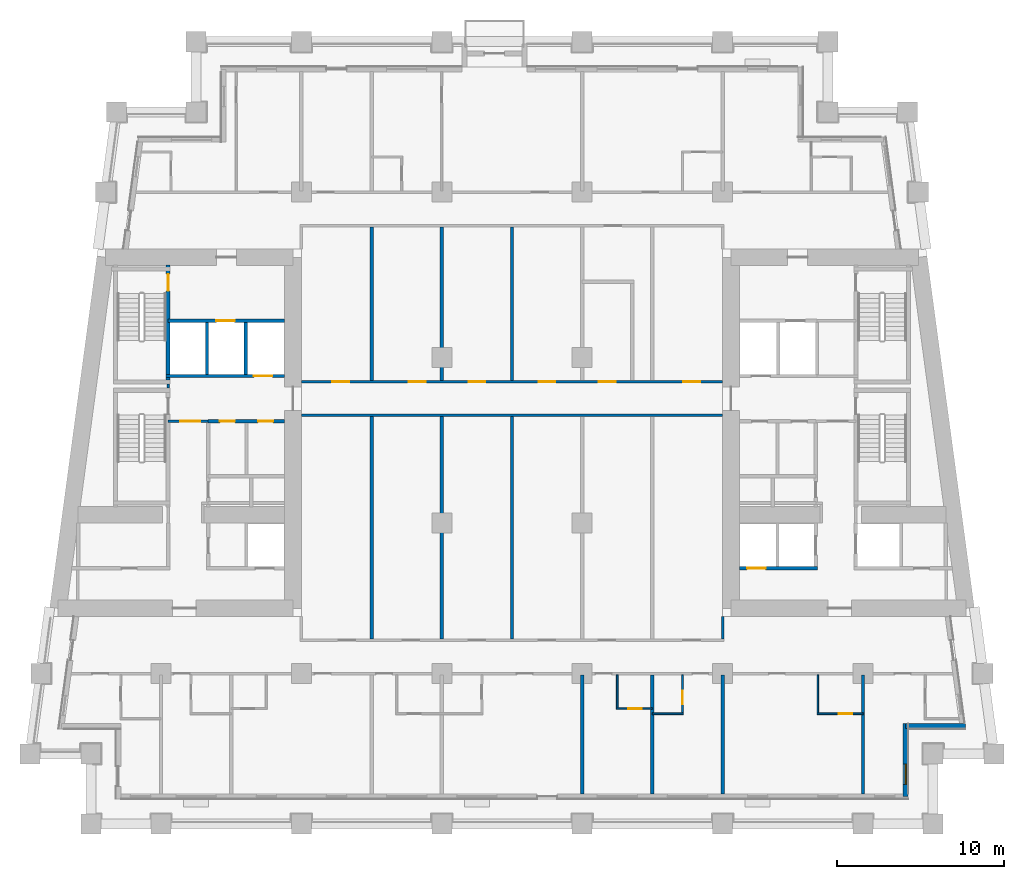
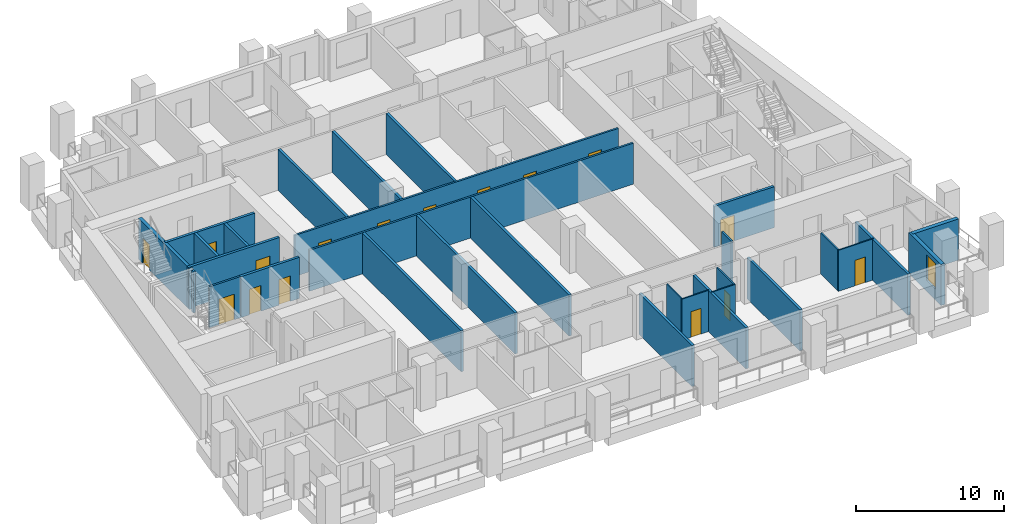
# One storey, part 4 of 13: 30 walls, 16 doors, 1 window, 17 openings.
"""IFC4 building model written with IfcOpenShell, lengths in metres."""

import ifcopenshell
import ifcopenshell.guid

model = None  # the IFC model being written
_history = None  # IfcOwnerHistory: only IFC2X3 demands one
_inside = {}  # id of a spatial element -> (the spatial element, [elements in it])
_under = {}  # id of a project, library or spatial element -> (it, [spatial elements below it])
_declared = {}  # id of a project -> (the project, [libraries it declares])
_typed = {}  # id of a type object -> (the type object, [elements of that type])
_made_of = {}  # id of a material, layer set ... -> (it, [elements and type objects made of it])


def new_model(schema):
    """Start an empty IFC model of exactly this schema.

    Asked for "IFC4X3", IfcOpenShell would pick the latest addendum, in which some entities
    have other attributes; the version numbers below select the first issue.
    IFC2X3 requires an IfcOwnerHistory on every rooted entity: one is made here for all.
    """
    global model, _history
    if schema == "IFC4X3":
        model = ifcopenshell.file(schema_version=(4, 3, 0, 0))
    else:
        model = ifcopenshell.file(schema=schema)
    _inside.clear()
    _under.clear()
    _declared.clear()
    _typed.clear()
    _made_of.clear()
    _history = None
    if model.schema == "IFC2X3":
        org = make("IfcOrganization", Name="unknown")
        user = make(
            "IfcPersonAndOrganization",
            ThePerson=make("IfcPerson", FamilyName="unknown"),
            TheOrganization=org,
        )
        app = make(
            "IfcApplication",
            ApplicationDeveloper=org,
            Version="unknown",
            ApplicationFullName="unknown",
            ApplicationIdentifier="unknown",
        )
        _history = make(
            "IfcOwnerHistory",
            OwningUser=user,
            OwningApplication=app,
            ChangeAction="ADDED",
            CreationDate=0,
        )
    return model


def make(cls, **values):
    """One entity of the class cls with the attributes given. An attribute that is None is left unset."""
    return model.create_entity(
        cls, **{name: value for name, value in values.items() if value is not None}
    )


def rooted(cls, **values):
    """An entity with a GlobalId (a new one), such as an element, a storey or a relation."""
    return make(cls, GlobalId=ifcopenshell.guid.new(), OwnerHistory=_history, **values)


def si_unit(unit_type, name, prefix=None):
    """IfcSIUnit, for example si_unit("LENGTHUNIT", "METRE", prefix="MILLI")."""
    return make("IfcSIUnit", UnitType=unit_type, Prefix=prefix, Name=name)


def assignment(units):
    """IfcUnitAssignment: the units of a project."""
    return None if units is None else make("IfcUnitAssignment", Units=units)


def point(xyz):
    """IfcCartesianPoint."""
    return None if xyz is None else make("IfcCartesianPoint", Coordinates=xyz)


def direction(xyz):
    """IfcDirection."""
    return None if xyz is None else make("IfcDirection", DirectionRatios=xyz)


def frame(location, z_axis=None, x_axis=None):
    """IfcAxis2Placement3D, a coordinate frame: its origin and axes. An axis left out is left unset."""
    return make(
        "IfcAxis2Placement3D",
        Location=point(location),
        Axis=direction(z_axis),
        RefDirection=direction(x_axis),
    )


def frame_2d(location, x_axis=None):
    """IfcAxis2Placement2D, a coordinate frame in the plane: its origin and x axis."""
    return make(
        "IfcAxis2Placement2D", Location=point(location), RefDirection=direction(x_axis)
    )


def origin():
    """The frame at (0, 0, 0) with its axes left unset."""
    return frame((0.0, 0.0, 0.0))


def place(relative_to, where):
    """IfcLocalPlacement: puts the frame where relative to a parent placement (None: the world)."""
    return make(
        "IfcLocalPlacement", PlacementRelTo=relative_to, RelativePlacement=where
    )


def context(
    kind, dimensions, precision=None, world=None, true_north=None, identifier=None
):
    """IfcGeometricRepresentationContext, for example the 3D "Model" context."""
    return make(
        "IfcGeometricRepresentationContext",
        ContextIdentifier=identifier,
        ContextType=kind,
        CoordinateSpaceDimension=dimensions,
        Precision=precision,
        WorldCoordinateSystem=world,
        TrueNorth=true_north,
    )


def subcontext(parent, identifier, kind, view, scale=None):
    """IfcGeometricRepresentationSubContext, for example "Body" below "Model"."""
    return make(
        "IfcGeometricRepresentationSubContext",
        ContextIdentifier=identifier,
        ContextType=kind,
        ParentContext=parent,
        TargetScale=scale,
        TargetView=view,
    )


def project(units=None, contexts=None):
    """IfcProject with its units and contexts."""
    return rooted(
        "IfcProject",
        Name="project",
        RepresentationContexts=contexts,
        UnitsInContext=assignment(units),
    )


def spatial(cls, under=None, at=None, **own):
    """A site, building, storey or space (cls), placed at a placement, below another one or the project."""
    s = rooted(cls, ObjectPlacement=at, **own)
    if under is not None:
        _under.setdefault(under.id(), (under, []))[1].append(s)
    return s


def profile(cls, at=None, kind="AREA", **sizes):
    """A parametric profile (cls). Its sizes go by their IFC names, for example OverallWidth=200.0."""
    return make(cls, ProfileType=kind, Position=at, **sizes)


def rectangle(**sizes):
    """IfcRectangleProfileDef."""
    return profile("IfcRectangleProfileDef", **sizes)


def extrude(swept, where, along, depth):
    """IfcExtrudedAreaSolid: the profile swept, set in the frame where, extruded along a direction by depth."""
    return make(
        "IfcExtrudedAreaSolid",
        SweptArea=swept,
        Position=where,
        ExtrudedDirection=direction(along),
        Depth=depth,
    )


def shape(context_of_items, identifier, shape_type, items):
    """IfcShapeRepresentation: the items that make up one representation, for example the "Body"."""
    return make(
        "IfcShapeRepresentation",
        ContextOfItems=context_of_items,
        RepresentationIdentifier=identifier,
        RepresentationType=shape_type,
        Items=items,
    )


def material(Name=None, Category=None):
    """IfcMaterial."""
    return make("IfcMaterial", Name=Name, Category=Category)


def layer(
    of_material, thickness, ventilated=None, Name=None, Category=None, Priority=None
):
    """IfcMaterialLayer: one layer of a wall or slab, of a material (None: an air gap)."""
    return make(
        "IfcMaterialLayer",
        Material=of_material,
        LayerThickness=thickness,
        IsVentilated=ventilated,
        Name=Name,
        Category=Category,
        Priority=Priority,
    )


def layer_set(layers, Name=None):
    """IfcMaterialLayerSet."""
    return make("IfcMaterialLayerSet", MaterialLayers=layers, LayerSetName=Name)


def made_of(thing, what):
    """Note that an element or type object is made of a material, layer set ...; save() writes the relation."""
    if what is not None:
        _made_of.setdefault(what.id(), (what, []))[1].append(thing)
    return thing


def type_object(cls, material=None, **own):
    """A type object (cls), such as IfcWallType, which elements share."""
    return made_of(rooted(cls, **own), material)


def element(
    cls,
    number,
    at=None,
    inside=None,
    cuts=None,
    type_object=None,
    material=None,
    context=None,
    identifier="Body",
    shape_type=None,
    held_by="IfcProductDefinitionShape",
    body=None,
    shapes=None,
    **own,
):
    """One element of the class cls, such as IfcWall. Its Tag is "e" and its number.

    at: its placement. inside: the storey or other place that contains it. cuts: it is an
    opening in that element (IfcRelVoidsElement). A single representation is given by context,
    identifier, shape_type and body (its items); several are given by shapes. held_by: the class
    of the entity that holds the representations. save() writes the other relations.
    """
    e = rooted(cls, Tag="e%d" % number, ObjectPlacement=at, **own)
    if body is not None:
        shapes = [shape(context, identifier, shape_type, body)]
    if shapes is not None:
        e.Representation = make(held_by, Representations=shapes)
    if inside is not None:
        _inside.setdefault(inside.id(), (inside, []))[1].append(e)
    if cuts is not None:
        rooted(
            "IfcRelVoidsElement", RelatingBuildingElement=cuts, RelatedOpeningElement=e
        )
    if type_object is not None:
        _typed.setdefault(type_object.id(), (type_object, []))[1].append(e)
    return made_of(e, material)


def fill(opening, filler):
    """IfcRelFillsElement: the door or window that sits in an opening."""
    return rooted(
        "IfcRelFillsElement",
        RelatingOpeningElement=opening,
        RelatedBuildingElement=filler,
    )


def aggregate(whole, parts):
    """IfcRelAggregates: a whole, such as a stair, and the parts it consists of."""
    return rooted("IfcRelAggregates", RelatingObject=whole, RelatedObjects=parts)


def save(model, path):
    """Write the relations noted so far, then the file.

    IfcRelAggregates (storeys below a building ...), IfcRelContainedInSpatialStructure (elements
    in a storey), IfcRelDefinesByType, IfcRelAssociatesMaterial and IfcRelDeclares: one each for
    every whole, place, type object, material and project.
    """
    for whole, parts in _under.values():
        aggregate(whole, parts)
    for where, things in _inside.values():
        rooted(
            "IfcRelContainedInSpatialStructure",
            RelatedElements=things,
            RelatingStructure=where,
        )
    for kind, things in _typed.values():
        rooted("IfcRelDefinesByType", RelatedObjects=things, RelatingType=kind)
    for what, things in _made_of.values():
        rooted("IfcRelAssociatesMaterial", RelatedObjects=things, RelatingMaterial=what)
    for by, libraries in _declared.values():
        rooted("IfcRelDeclares", RelatingContext=by, RelatedDefinitions=libraries)
    model.write(path)


model = new_model("IFC4")

# Units and contexts
model_context = context("Model", 3, precision=1e-05, world=origin(), true_north=direction((0.0, 1.0)))
body_context = subcontext(model_context, "Body", "Model", "MODEL_VIEW")
ifc_project = project(units=[si_unit("LENGTHUNIT", "METRE"), si_unit("AREAUNIT", "SQUARE_METRE"), si_unit("VOLUMEUNIT", "CUBIC_METRE"), si_unit("PLANEANGLEUNIT", "RADIAN"), si_unit("MASSUNIT", "GRAM", prefix="KILO")], contexts=[model_context])

# Site, building, storey
site_placement = place(None, origin())
site = spatial("IfcSite", under=ifc_project, at=site_placement, CompositionType="ELEMENT")
building_placement = place(site_placement, origin())
building = spatial("IfcBuilding", under=site, at=building_placement, Name="Candeia Pilgrim Tower and Theatre", CompositionType="ELEMENT")
storey_placement = place(building_placement, frame((0.0, 0.0, 98.39990234375)))
storey = spatial("IfcBuildingStorey", under=building, at=storey_placement, Name="L22", CompositionType="ELEMENT", Elevation=98.39990234375)

# Wall, opening, window
ifc_material_1 = material(Name="Ceramic block masonry", Category="masonry")
ifc_layer_1 = layer(ifc_material_1, 0.300048828125)
ifc_layer_set_1 = layer_set([ifc_layer_1], Name="EW1 glazing-line wall 300")
wall_type_1 = type_object("IfcWallType", Name="EW1 glazing-line wall 300", PredefinedType="SOLIDWALL", material=ifc_layer_set_1)
wall_1_placement = place(storey_placement, frame((136.949951171875, 99.64990234375, 0.0), z_axis=(0.0, 0.0, 1.0), x_axis=(0.0, 1.0, 0.0)))
wall_1 = element("IfcWall", 1, at=wall_1_placement, inside=storey, type_object=wall_type_1, Name="External wall L22-1.0", PredefinedType="SOLIDWALL", context=body_context, shape_type="SweptSolid", body=[
    extrude(rectangle(XDim=4.35009765625, YDim=0.300048828125, at=frame_2d((2.175048828125, 0.0))), origin(), (0.0, 0.0, 1.0), 3.380126953125),
])
opening_1_placement = place(wall_1_placement, frame((0.72509765625, 0.0, 0.89990234375)))
opening_1 = element("IfcOpeningElement", 2, at=opening_1_placement, cuts=wall_1, Name="Opening W-B", PredefinedType="OPENING", context=body_context, shape_type="SweptSolid", body=[
    extrude(rectangle(XDim=1.199951171875, YDim=2.10009765625, at=frame_2d((0.60009765625, 1.050048828125))), frame((0.0, 0.16015625, 0.0), z_axis=(0.0, -1.0, 0.0), x_axis=(1.0, 0.0, 0.0)), (0.0, 0.0, 1.0), 0.320068359375),
])
ifc_material_2 = material(Name="Aluminium framed double glazing", Category="aluminium")
window_type = type_object("IfcWindowType", Name="W-B window 1200x2100", PartitioningType="SINGLE_PANEL", PredefinedType="WINDOW", material=ifc_material_2)
window_placement = place(opening_1_placement, origin())
window = element("IfcWindow", 3, at=window_placement, inside=storey, type_object=window_type, Name="Window W-B L22", OverallHeight=2.10009765625, OverallWidth=1.199951171875, PartitioningType="SINGLE_PANEL", PredefinedType="WINDOW", context=body_context, shape_type="SweptSolid", body=[
    extrude(rectangle(XDim=1.199951171875, YDim=2.10009765625, at=frame_2d((0.60009765625, 1.050048828125))), frame((0.0, 0.030029296875, 0.0), z_axis=(0.0, -1.0, 0.0), x_axis=(1.0, 0.0, 0.0)), (0.0, 0.0, 1.0), 0.06005859375),
])
fill(opening_1, window)

# Walls
wall_2_placement = place(storey_placement, frame((136.949951171875, 103.85009765625, 0.0), z_axis=(0.0, 0.0, 1.0), x_axis=(1.0, 0.0, 0.0)))
element("IfcWall", 4, at=wall_2_placement, inside=storey, type_object=wall_type_1, Name="External wall L22-2.0", PredefinedType="SOLIDWALL", context=body_context, shape_type="SweptSolid", body=[
    extrude(rectangle(XDim=3.569091796875, YDim=0.300048828125, at=frame_2d((1.78466796875, 0.0))), origin(), (0.0, 0.0, 1.0), 3.380126953125),
])
ifc_material_3 = material(Name="Gypsum board partition on steel studs", Category="steel")
ifc_layer_2 = layer(ifc_material_3, 0.10009765625)
ifc_layer_set_2 = layer_set([ifc_layer_2], Name="PW-100 room partition")
wall_type_2 = type_object("IfcWallType", Name="PW-100 room partition", PredefinedType="PARTITIONING", material=ifc_layer_set_2)
wall_3_placement = place(storey_placement, frame((121.800048828125, 104.60009765625, 0.0), z_axis=(0.0, 0.0, 1.0), x_axis=(1.0, 0.0, 0.0)))
element("IfcWall", 5, at=wall_3_placement, inside=storey, type_object=wall_type_2, Name="Room partition L22-005", PredefinedType="PARTITIONING", context=body_context, shape_type="SweptSolid", body=[
    extrude(rectangle(XDim=1.849853515625, YDim=0.10009765625, at=frame_2d((0.9248046875, 0.0))), origin(), (0.0, 0.0, 1.0), 3.380126953125),
])

# Wall, opening, door
wall_4_placement = place(storey_placement, frame((131.64990234375, 104.60009765625, 0.0), z_axis=(0.0, 0.0, 1.0), x_axis=(1.0, 0.0, 0.0)))
wall_4 = element("IfcWall", 6, at=wall_4_placement, inside=storey, type_object=wall_type_2, Name="Room partition L22-006", PredefinedType="PARTITIONING", context=body_context, shape_type="SweptSolid", body=[
    extrude(rectangle(XDim=2.75, YDim=0.10009765625, at=frame_2d((1.375, 0.0))), origin(), (0.0, 0.0, 1.0), 3.380126953125),
])
opening_2_placement = place(wall_4_placement, frame((1.300048828125, 0.0, 0.0)))
opening_2 = element("IfcOpeningElement", 7, at=opening_2_placement, cuts=wall_4, Name="Opening L22-D031", PredefinedType="OPENING", context=body_context, shape_type="SweptSolid", body=[
    extrude(rectangle(XDim=0.800048828125, YDim=2.10009765625, at=frame_2d((0.39990234375, 1.050048828125))), frame((0.0, 0.06005859375, 0.0), z_axis=(0.0, -1.0, 0.0), x_axis=(1.0, 0.0, 0.0)), (0.0, 0.0, 1.0), 0.1201171875),
])
ifc_material_4 = material(Name="Timber door leaf", Category="wood")
door_type_1 = type_object("IfcDoorType", Name="D-800", OperationType="NOTDEFINED", PredefinedType="DOOR", material=ifc_material_4)
door_1_placement = place(opening_2_placement, origin())
door_1 = element("IfcDoor", 8, at=door_1_placement, inside=storey, type_object=door_type_1, Name="Door L22-D031", OperationType="SINGLE_SWING_LEFT", OverallHeight=2.10009765625, OverallWidth=0.800048828125, PredefinedType="DOOR", context=body_context, shape_type="SweptSolid", body=[
    extrude(rectangle(XDim=0.800048828125, YDim=2.10009765625, at=frame_2d((0.39990234375, 1.050048828125))), frame((0.0, 0.02490234375, 0.0), z_axis=(0.0, -1.0, 0.0), x_axis=(1.0, 0.0, 0.0)), (0.0, 0.0, 1.0), 0.050048828125),
])
fill(opening_2, door_1)

wall_5_placement = place(storey_placement, frame((119.64990234375, 104.89990234375, 0.0), z_axis=(0.0, 0.0, 1.0), x_axis=(1.0, 0.0, 0.0)))
wall_5 = element("IfcWall", 9, at=wall_5_placement, inside=storey, type_object=wall_type_2, Name="Room partition L22-008", PredefinedType="PARTITIONING", context=body_context, shape_type="SweptSolid", body=[
    extrude(rectangle(XDim=2.150146484375, YDim=0.10009765625, at=frame_2d((1.0751953125, 0.0))), origin(), (0.0, 0.0, 1.0), 3.380126953125),
])
opening_3_placement = place(wall_5_placement, frame((0.699951171875, 0.0, 0.0)))
opening_3 = element("IfcOpeningElement", 10, at=opening_3_placement, cuts=wall_5, Name="Opening L22-D027", PredefinedType="OPENING", context=body_context, shape_type="SweptSolid", body=[
    extrude(rectangle(XDim=0.800048828125, YDim=2.10009765625, at=frame_2d((0.39990234375, 1.050048828125))), frame((0.0, 0.06005859375, 0.0), z_axis=(0.0, -1.0, 0.0), x_axis=(1.0, 0.0, 0.0)), (0.0, 0.0, 1.0), 0.1201171875),
])
door_2_placement = place(opening_3_placement, origin())
door_2 = element("IfcDoor", 11, at=door_2_placement, inside=storey, type_object=door_type_1, Name="Door L22-D027", OperationType="SINGLE_SWING_LEFT", OverallHeight=2.10009765625, OverallWidth=0.800048828125, PredefinedType="DOOR", context=body_context, shape_type="SweptSolid", body=[
    extrude(rectangle(XDim=0.800048828125, YDim=2.10009765625, at=frame_2d((0.39990234375, 1.050048828125))), frame((0.0, 0.02490234375, 0.0), z_axis=(0.0, -1.0, 0.0), x_axis=(1.0, 0.0, 0.0)), (0.0, 0.0, 1.0), 0.050048828125),
])
fill(opening_3, door_2)

# Wall
wall_6_placement = place(storey_placement, frame((119.699951171875, 104.949951171875, 0.0), z_axis=(0.0, 0.0, 1.0), x_axis=(0.0, 1.0, 0.0)))
element("IfcWall", 12, at=wall_6_placement, inside=storey, type_object=wall_type_2, Name="Room partition L22-092", PredefinedType="PARTITIONING", context=body_context, shape_type="SweptSolid", body=[
    extrude(rectangle(XDim=1.97509765625, YDim=0.10009765625, at=frame_2d((0.987548828125, 0.0))), origin(), (0.0, 0.0, 1.0), 3.380126953125),
])

# Wall, opening, door
wall_7_placement = place(storey_placement, frame((123.60009765625, 104.64990234375, 0.0), z_axis=(0.0, 0.0, 1.0), x_axis=(0.0, 1.0, 0.0)))
wall_7 = element("IfcWall", 13, at=wall_7_placement, inside=storey, type_object=wall_type_2, Name="Room partition L22-097", PredefinedType="PARTITIONING", context=body_context, shape_type="SweptSolid", body=[
    extrude(rectangle(XDim=2.275146484375, YDim=0.10009765625, at=frame_2d((1.1376953125, 0.0))), origin(), (0.0, 0.0, 1.0), 3.380126953125),
])
opening_4_placement = place(wall_7_placement, frame((0.52490234375, 0.0, 0.0)))
opening_4 = element("IfcOpeningElement", 14, at=opening_4_placement, cuts=wall_7, Name="Opening L22-D029", PredefinedType="OPENING", context=body_context, shape_type="SweptSolid", body=[
    extrude(rectangle(XDim=0.800048828125, YDim=2.10009765625, at=frame_2d((0.39990234375, 1.050048828125))), frame((0.0, 0.06005859375, 0.0), z_axis=(0.0, -1.0, 0.0), x_axis=(1.0, 0.0, 0.0)), (0.0, 0.0, 1.0), 0.1201171875),
])
door_3_placement = place(opening_4_placement, origin())
door_3 = element("IfcDoor", 15, at=door_3_placement, inside=storey, type_object=door_type_1, Name="Door L22-D029", OperationType="SINGLE_SWING_LEFT", OverallHeight=2.10009765625, OverallWidth=0.800048828125, PredefinedType="DOOR", context=body_context, shape_type="SweptSolid", body=[
    extrude(rectangle(XDim=0.800048828125, YDim=2.10009765625, at=frame_2d((0.39990234375, 1.050048828125))), frame((0.0, 0.02490234375, 0.0), z_axis=(0.0, -1.0, 0.0), x_axis=(1.0, 0.0, 0.0)), (0.0, 0.0, 1.0), 0.050048828125),
])
fill(opening_4, door_3)

# Wall
wall_8_placement = place(storey_placement, frame((131.699951171875, 104.64990234375, 0.0), z_axis=(0.0, 0.0, 1.0), x_axis=(0.0, 1.0, 0.0)))
element("IfcWall", 16, at=wall_8_placement, inside=storey, type_object=wall_type_2, Name="Room partition L22-111", PredefinedType="PARTITIONING", context=body_context, shape_type="SweptSolid", body=[
    extrude(rectangle(XDim=2.275146484375, YDim=0.10009765625, at=frame_2d((1.1376953125, 0.0))), origin(), (0.0, 0.0, 1.0), 3.380126953125),
])

# Wall, opening, door
ifc_layer_3 = layer(ifc_material_3, 0.14990234375)
ifc_layer_set_3 = layer_set([ifc_layer_3], Name="PW-150 lobby wall")
wall_type_3 = type_object("IfcWallType", Name="PW-150 lobby wall", PredefinedType="PARTITIONING", material=ifc_layer_set_3)
wall_9_placement = place(storey_placement, frame((92.826904296875, 122.10009765625, 0.0), z_axis=(0.0, 0.0, 1.0), x_axis=(1.0, 0.0, 0.0)))
wall_9 = element("IfcWall", 17, at=wall_9_placement, inside=storey, type_object=wall_type_3, Name="Lobby wall L22-025", PredefinedType="PARTITIONING", context=body_context, shape_type="SweptSolid", body=[
    extrude(rectangle(XDim=2.400146484375, YDim=0.14990234375, at=frame_2d((1.2001953125, 0.0))), origin(), (0.0, 0.0, 1.0), 3.380126953125),
])
opening_5_placement = place(wall_9_placement, frame((0.72509765625, 0.0, 0.0)))
opening_5 = element("IfcOpeningElement", 18, at=opening_5_placement, cuts=wall_9, Name="Opening L22-D001", PredefinedType="OPENING", context=body_context, shape_type="SweptSolid", body=[
    extrude(rectangle(XDim=1.199951171875, YDim=2.10009765625, at=frame_2d((0.60009765625, 1.050048828125))), frame((0.0, 0.0849609375, 0.0), z_axis=(0.0, -1.0, 0.0), x_axis=(1.0, 0.0, 0.0)), (0.0, 0.0, 1.0), 0.169921875),
])
ifc_material_5 = material(Name="Steel fire door set", Category="steel")
door_type_2 = type_object("IfcDoorType", Name="D-1200-FD60", OperationType="NOTDEFINED", PredefinedType="DOOR", material=ifc_material_5)
door_4_placement = place(opening_5_placement, origin())
door_4 = element("IfcDoor", 19, at=door_4_placement, inside=storey, type_object=door_type_2, Name="Door L22-D001", OperationType="SINGLE_SWING_LEFT", OverallHeight=2.10009765625, OverallWidth=1.199951171875, PredefinedType="DOOR", context=body_context, shape_type="SweptSolid", body=[
    extrude(rectangle(XDim=1.199951171875, YDim=2.10009765625, at=frame_2d((0.60009765625, 1.050048828125))), frame((0.0, 0.02490234375, 0.0), z_axis=(0.0, -1.0, 0.0), x_axis=(1.0, 0.0, 0.0)), (0.0, 0.0, 1.0), 0.050048828125),
])
fill(opening_5, door_4)

# Walls
wall_10_placement = place(storey_placement, frame((92.826904296875, 124.074951171875, 0.0), z_axis=(0.0, 0.0, 1.0), x_axis=(0.0, 1.0, 0.0)))
element("IfcWall", 20, at=wall_10_placement, inside=storey, type_object=wall_type_3, Name="Lobby wall L22-056", PredefinedType="PARTITIONING", context=body_context, shape_type="SweptSolid", body=[
    extrude(rectangle(XDim=0.25, YDim=0.14990234375, at=frame_2d((0.125, 0.0))), origin(), (0.0, 0.0, 1.0), 3.380126953125),
])
ifc_layer_4 = layer(ifc_material_3, 0.14990234375)
ifc_layer_set_4 = layer_set([ifc_layer_4], Name="PW-150 unit wall")
wall_type_4 = type_object("IfcWallType", Name="PW-150 unit wall", PredefinedType="PARTITIONING", material=ifc_layer_set_4)
wall_11_placement = place(storey_placement, frame((100.800048828125, 122.449951171875, 0.0), z_axis=(0.0, 0.0, 1.0), x_axis=(1.0, 0.0, 0.0)))
element("IfcWall", 21, at=wall_11_placement, inside=storey, type_object=wall_type_4, Name="Unit wall L22-027", PredefinedType="PARTITIONING", context=body_context, shape_type="SweptSolid", body=[
    extrude(rectangle(XDim=25.199951171875, YDim=0.14990234375, at=frame_2d((12.60009765625, 0.0))), origin(), (0.0, 0.0, 1.0), 3.380126953125),
])

# Wall, openings, doors
wall_12_placement = place(storey_placement, frame((100.800048828125, 124.449951171875, 0.0), z_axis=(0.0, 0.0, 1.0), x_axis=(1.0, 0.0, 0.0)))
wall_12 = element("IfcWall", 22, at=wall_12_placement, inside=storey, type_object=wall_type_4, Name="Unit wall L22-032", PredefinedType="PARTITIONING", context=body_context, shape_type="SweptSolid", body=[
    extrude(rectangle(XDim=25.199951171875, YDim=0.14990234375, at=frame_2d((12.60009765625, 0.0))), origin(), (0.0, 0.0, 1.0), 3.380126953125),
])
opening_6_placement = place(wall_12_placement, frame((1.85009765625, 0.0, 0.0)))
opening_6 = element("IfcOpeningElement", 23, at=opening_6_placement, cuts=wall_12, Name="Opening L22-D053", PredefinedType="OPENING", context=body_context, shape_type="SweptSolid", body=[
    extrude(rectangle(XDim=1.0, YDim=2.10009765625, at=frame_2d((0.5, 1.050048828125))), frame((0.0, 0.0849609375, 0.0), z_axis=(0.0, -1.0, 0.0), x_axis=(1.0, 0.0, 0.0)), (0.0, 0.0, 1.0), 0.169921875),
])
opening_7_placement = place(wall_12_placement, frame((6.425048828125, 0.0, 0.0)))
opening_7 = element("IfcOpeningElement", 24, at=opening_7_placement, cuts=wall_12, Name="Opening L22-D054", PredefinedType="OPENING", context=body_context, shape_type="SweptSolid", body=[
    extrude(rectangle(XDim=1.0, YDim=2.10009765625, at=frame_2d((0.5, 1.050048828125))), frame((0.0, 0.0849609375, 0.0), z_axis=(0.0, -1.0, 0.0), x_axis=(1.0, 0.0, 0.0)), (0.0, 0.0, 1.0), 0.169921875),
])
opening_8_placement = place(wall_12_placement, frame((10.0, 0.0, 0.0)))
opening_8 = element("IfcOpeningElement", 25, at=opening_8_placement, cuts=wall_12, Name="Opening L22-D055", PredefinedType="OPENING", context=body_context, shape_type="SweptSolid", body=[
    extrude(rectangle(XDim=1.0, YDim=2.10009765625, at=frame_2d((0.5, 1.050048828125))), frame((0.0, 0.0849609375, 0.0), z_axis=(0.0, -1.0, 0.0), x_axis=(1.0, 0.0, 0.0)), (0.0, 0.0, 1.0), 0.169921875),
])
opening_9_placement = place(wall_12_placement, frame((14.199951171875, 0.0, 0.0)))
opening_9 = element("IfcOpeningElement", 26, at=opening_9_placement, cuts=wall_12, Name="Opening L22-D056", PredefinedType="OPENING", context=body_context, shape_type="SweptSolid", body=[
    extrude(rectangle(XDim=1.0, YDim=2.10009765625, at=frame_2d((0.5, 1.050048828125))), frame((0.0, 0.0849609375, 0.0), z_axis=(0.0, -1.0, 0.0), x_axis=(1.0, 0.0, 0.0)), (0.0, 0.0, 1.0), 0.169921875),
])
opening_10_placement = place(wall_12_placement, frame((17.800048828125, 0.0, 0.0)))
opening_10 = element("IfcOpeningElement", 27, at=opening_10_placement, cuts=wall_12, Name="Opening L22-D057", PredefinedType="OPENING", context=body_context, shape_type="SweptSolid", body=[
    extrude(rectangle(XDim=1.0, YDim=2.10009765625, at=frame_2d((0.5, 1.050048828125))), frame((0.0, 0.0849609375, 0.0), z_axis=(0.0, -1.0, 0.0), x_axis=(1.0, 0.0, 0.0)), (0.0, 0.0, 1.0), 0.169921875),
])
opening_11_placement = place(wall_12_placement, frame((22.85009765625, 0.0, 0.0)))
opening_11 = element("IfcOpeningElement", 28, at=opening_11_placement, cuts=wall_12, Name="Opening L22-D058", PredefinedType="OPENING", context=body_context, shape_type="SweptSolid", body=[
    extrude(rectangle(XDim=1.0, YDim=2.10009765625, at=frame_2d((0.5, 1.050048828125))), frame((0.0, 0.0849609375, 0.0), z_axis=(0.0, -1.0, 0.0), x_axis=(1.0, 0.0, 0.0)), (0.0, 0.0, 1.0), 0.169921875),
])
door_type_3 = type_object("IfcDoorType", Name="D-1000-FD30S", OperationType="NOTDEFINED", PredefinedType="DOOR", material=ifc_material_5)
door_5_placement = place(opening_6_placement, origin())
door_5 = element("IfcDoor", 29, at=door_5_placement, inside=storey, type_object=door_type_3, Name="Door L22-D053", OperationType="SINGLE_SWING_LEFT", OverallHeight=2.10009765625, OverallWidth=1.0, PredefinedType="DOOR", context=body_context, shape_type="SweptSolid", body=[
    extrude(rectangle(XDim=1.0, YDim=2.10009765625, at=frame_2d((0.5, 1.050048828125))), frame((0.0, 0.02490234375, 0.0), z_axis=(0.0, -1.0, 0.0), x_axis=(1.0, 0.0, 0.0)), (0.0, 0.0, 1.0), 0.050048828125),
])
fill(opening_6, door_5)
door_6_placement = place(opening_7_placement, origin())
door_6 = element("IfcDoor", 30, at=door_6_placement, inside=storey, type_object=door_type_3, Name="Door L22-D054", OperationType="SINGLE_SWING_RIGHT", OverallHeight=2.10009765625, OverallWidth=1.0, PredefinedType="DOOR", context=body_context, shape_type="SweptSolid", body=[
    extrude(rectangle(XDim=1.0, YDim=2.10009765625, at=frame_2d((0.5, 1.050048828125))), frame((0.0, 0.02490234375, 0.0), z_axis=(0.0, -1.0, 0.0), x_axis=(1.0, 0.0, 0.0)), (0.0, 0.0, 1.0), 0.050048828125),
])
fill(opening_7, door_6)
door_7_placement = place(opening_8_placement, origin())
door_7 = element("IfcDoor", 31, at=door_7_placement, inside=storey, type_object=door_type_3, Name="Door L22-D055", OperationType="SINGLE_SWING_LEFT", OverallHeight=2.10009765625, OverallWidth=1.0, PredefinedType="DOOR", context=body_context, shape_type="SweptSolid", body=[
    extrude(rectangle(XDim=1.0, YDim=2.10009765625, at=frame_2d((0.5, 1.050048828125))), frame((0.0, 0.02490234375, 0.0), z_axis=(0.0, -1.0, 0.0), x_axis=(1.0, 0.0, 0.0)), (0.0, 0.0, 1.0), 0.050048828125),
])
fill(opening_8, door_7)
door_8_placement = place(opening_9_placement, origin())
door_8 = element("IfcDoor", 32, at=door_8_placement, inside=storey, type_object=door_type_3, Name="Door L22-D056", OperationType="SINGLE_SWING_RIGHT", OverallHeight=2.10009765625, OverallWidth=1.0, PredefinedType="DOOR", context=body_context, shape_type="SweptSolid", body=[
    extrude(rectangle(XDim=1.0, YDim=2.10009765625, at=frame_2d((0.5, 1.050048828125))), frame((0.0, 0.02490234375, 0.0), z_axis=(0.0, -1.0, 0.0), x_axis=(1.0, 0.0, 0.0)), (0.0, 0.0, 1.0), 0.050048828125),
])
fill(opening_9, door_8)
door_9_placement = place(opening_10_placement, origin())
door_9 = element("IfcDoor", 33, at=door_9_placement, inside=storey, type_object=door_type_3, Name="Door L22-D057", OperationType="SINGLE_SWING_LEFT", OverallHeight=2.10009765625, OverallWidth=1.0, PredefinedType="DOOR", context=body_context, shape_type="SweptSolid", body=[
    extrude(rectangle(XDim=1.0, YDim=2.10009765625, at=frame_2d((0.5, 1.050048828125))), frame((0.0, 0.02490234375, 0.0), z_axis=(0.0, -1.0, 0.0), x_axis=(1.0, 0.0, 0.0)), (0.0, 0.0, 1.0), 0.050048828125),
])
fill(opening_10, door_9)
door_10_placement = place(opening_11_placement, origin())
door_10 = element("IfcDoor", 34, at=door_10_placement, inside=storey, type_object=door_type_3, Name="Door L22-D058", OperationType="SINGLE_SWING_RIGHT", OverallHeight=2.10009765625, OverallWidth=1.0, PredefinedType="DOOR", context=body_context, shape_type="SweptSolid", body=[
    extrude(rectangle(XDim=1.0, YDim=2.10009765625, at=frame_2d((0.5, 1.050048828125))), frame((0.0, 0.02490234375, 0.0), z_axis=(0.0, -1.0, 0.0), x_axis=(1.0, 0.0, 0.0)), (0.0, 0.0, 1.0), 0.050048828125),
])
fill(opening_11, door_10)

# Walls
wall_13_placement = place(storey_placement, frame((126.0, 109.074951171875, 0.0), z_axis=(0.0, 0.0, 1.0), x_axis=(0.0, 1.0, 0.0)))
element("IfcWall", 35, at=wall_13_placement, inside=storey, type_object=wall_type_4, Name="Unit wall L22-101", PredefinedType="PARTITIONING", context=body_context, shape_type="SweptSolid", body=[
    extrude(rectangle(XDim=1.324951171875, YDim=0.14990234375, at=frame_2d((0.66259765625, 0.0))), origin(), (0.0, 0.0, 1.0), 3.380126953125),
])
ifc_layer_5 = layer(ifc_material_3, 0.199951171875)
ifc_layer_set_5 = layer_set([ifc_layer_5], Name="PW-200 party wall")
wall_type_5 = type_object("IfcWallType", Name="PW-200 party wall", PredefinedType="PARTITIONING", material=ifc_layer_set_5)
wall_14_placement = place(storey_placement, frame((105.0, 109.074951171875, 0.0), z_axis=(0.0, 0.0, 1.0), x_axis=(0.0, 1.0, 0.0)))
element("IfcWall", 36, at=wall_14_placement, inside=storey, type_object=wall_type_5, Name="Party wall L22-076", PredefinedType="PARTITIONING", context=body_context, shape_type="SweptSolid", body=[
    extrude(rectangle(XDim=13.300048828125, YDim=0.199951171875, at=frame_2d((6.64990234375, 0.0))), origin(), (0.0, 0.0, 1.0), 3.380126953125),
])
wall_15_placement = place(storey_placement, frame((105.0, 124.52490234375, 0.0), z_axis=(0.0, 0.0, 1.0), x_axis=(0.0, 1.0, 0.0)))
element("IfcWall", 37, at=wall_15_placement, inside=storey, type_object=wall_type_5, Name="Party wall L22-077", PredefinedType="PARTITIONING", context=body_context, shape_type="SweptSolid", body=[
    extrude(rectangle(XDim=9.2001953125, YDim=0.199951171875, at=frame_2d((4.60009765625, 0.0))), origin(), (0.0, 0.0, 1.0), 3.380126953125),
])
wall_16_placement = place(storey_placement, frame((109.199951171875, 109.074951171875, 0.0), z_axis=(0.0, 0.0, 1.0), x_axis=(0.0, 1.0, 0.0)))
element("IfcWall", 38, at=wall_16_placement, inside=storey, type_object=wall_type_5, Name="Party wall L22-083", PredefinedType="PARTITIONING", context=body_context, shape_type="SweptSolid", body=[
    extrude(rectangle(XDim=13.300048828125, YDim=0.199951171875, at=frame_2d((6.64990234375, 0.0))), origin(), (0.0, 0.0, 1.0), 3.380126953125),
])
wall_17_placement = place(storey_placement, frame((109.199951171875, 124.52490234375, 0.0), z_axis=(0.0, 0.0, 1.0), x_axis=(0.0, 1.0, 0.0)))
element("IfcWall", 39, at=wall_17_placement, inside=storey, type_object=wall_type_5, Name="Party wall L22-084", PredefinedType="PARTITIONING", context=body_context, shape_type="SweptSolid", body=[
    extrude(rectangle(XDim=9.2001953125, YDim=0.199951171875, at=frame_2d((4.60009765625, 0.0))), origin(), (0.0, 0.0, 1.0), 3.380126953125),
])
wall_18_placement = place(storey_placement, frame((113.39990234375, 109.074951171875, 0.0), z_axis=(0.0, 0.0, 1.0), x_axis=(0.0, 1.0, 0.0)))
element("IfcWall", 40, at=wall_18_placement, inside=storey, type_object=wall_type_5, Name="Party wall L22-086", PredefinedType="PARTITIONING", context=body_context, shape_type="SweptSolid", body=[
    extrude(rectangle(XDim=13.300048828125, YDim=0.199951171875, at=frame_2d((6.64990234375, 0.0))), origin(), (0.0, 0.0, 1.0), 3.380126953125),
])
wall_19_placement = place(storey_placement, frame((113.39990234375, 124.52490234375, 0.0), z_axis=(0.0, 0.0, 1.0), x_axis=(0.0, 1.0, 0.0)))
element("IfcWall", 41, at=wall_19_placement, inside=storey, type_object=wall_type_5, Name="Party wall L22-087", PredefinedType="PARTITIONING", context=body_context, shape_type="SweptSolid", body=[
    extrude(rectangle(XDim=9.2001953125, YDim=0.199951171875, at=frame_2d((4.60009765625, 0.0))), origin(), (0.0, 0.0, 1.0), 3.380126953125),
])
for number, where, z_axis, x_axis, name in (
    (42, (117.60009765625, 99.7900390625, 0.0), (0.0, 0.0, 1.0), (0.0, 1.0, 0.0), "Party wall L22-088"),
    (43, (121.800048828125, 99.7900390625, 0.0), (0.0, 0.0, 1.0), (0.0, 1.0, 0.0), "Party wall L22-094"),
    (44, (126.0, 99.7900390625, 0.0), (0.0, 0.0, 1.0), (0.0, 1.0, 0.0), "Party wall L22-099"),
    (45, (134.39990234375, 99.7900390625, 0.0), (0.0, 0.0, 1.0), (0.0, 1.0, 0.0), "Party wall L22-119"),
):
    element("IfcWall", number, at=place(storey_placement, frame(where, z_axis=z_axis, x_axis=x_axis)), inside=storey, type_object=wall_type_5, Name=name, PredefinedType="PARTITIONING", context=body_context, shape_type="SweptSolid", body=[
        extrude(rectangle(XDim=7.135009765625, YDim=0.199951171875, at=frame_2d((3.5673828125, 0.0))), origin(), (0.0, 0.0, 1.0), 3.380126953125),
    ])

# Wall, opening, door
ifc_material_6 = material(Name="Concrete C40/50", Category="concrete")
ifc_layer_6 = layer(ifc_material_6, 0.199951171875)
ifc_layer_set_6 = layer_set([ifc_layer_6], Name="SW-200 shaft wall")
wall_type_6 = type_object("IfcWallType", Name="SW-200 shaft wall", PredefinedType="PARTITIONING", material=ifc_layer_set_6)
wall_20_placement = place(storey_placement, frame((127.0, 113.300048828125, 0.0), z_axis=(0.0, 0.0, 1.0), x_axis=(1.0, 0.0, 0.0)))
wall_20 = element("IfcWall", 46, at=wall_20_placement, inside=storey, type_object=wall_type_6, Name="Shaft wall L22-013", PredefinedType="PARTITIONING", context=body_context, shape_type="SweptSolid", body=[
    extrude(rectangle(XDim=4.673095703125, YDim=0.199951171875, at=frame_2d((2.33642578125, 0.0))), origin(), (0.0, 0.0, 1.0), 3.380126953125),
])
opening_12_placement = place(wall_20_placement, frame((0.471923828125, 0.0, 0.0)))
opening_12 = element("IfcOpeningElement", 47, at=opening_12_placement, cuts=wall_20, Name="Opening L22-LD08", PredefinedType="OPENING", context=body_context, shape_type="SweptSolid", body=[
    extrude(rectangle(XDim=1.10009765625, YDim=2.10009765625, at=frame_2d((0.550048828125, 1.050048828125))), frame((0.0, 0.10986328125, 0.0), z_axis=(0.0, -1.0, 0.0), x_axis=(1.0, 0.0, 0.0)), (0.0, 0.0, 1.0), 0.219970703125),
])
ifc_material_7 = material(Name="Glazed aluminium landing door", Category="aluminium")
door_type_4 = type_object("IfcDoorType", Name="LD-1100-EI120", OperationType="SLIDING_TO_LEFT", PredefinedType="DOOR", material=ifc_material_7)
door_11_placement = place(opening_12_placement, origin())
door_11 = element("IfcDoor", 48, at=door_11_placement, inside=storey, type_object=door_type_4, Name="Landing door 08 L22", OperationType="SLIDING_TO_LEFT", OverallHeight=2.10009765625, OverallWidth=1.10009765625, PredefinedType="DOOR", context=body_context, shape_type="SweptSolid", body=[
    extrude(rectangle(XDim=1.10009765625, YDim=2.10009765625, at=frame_2d((0.550048828125, 1.050048828125))), frame((0.0, 0.02490234375, 0.0), z_axis=(0.0, -1.0, 0.0), x_axis=(1.0, 0.0, 0.0)), (0.0, 0.0, 1.0), 0.050048828125),
])
fill(opening_12, door_11)

# Wall, openings, doors
wall_21_placement = place(storey_placement, frame((95.22705078125, 122.10009765625, 0.0), z_axis=(0.0, 0.0, 1.0), x_axis=(1.0, 0.0, 0.0)))
wall_21 = element("IfcWall", 49, at=wall_21_placement, inside=storey, type_object=wall_type_6, Name="Shaft wall L22-023", PredefinedType="PARTITIONING", context=body_context, shape_type="SweptSolid", body=[
    extrude(rectangle(XDim=4.572998046875, YDim=0.199951171875, at=frame_2d((2.28662109375, 0.0))), origin(), (0.0, 0.0, 1.0), 3.380126953125),
])
opening_13_placement = place(wall_21_placement, frame((0.693115234375, 0.0, 0.0)))
opening_13 = element("IfcOpeningElement", 50, at=opening_13_placement, cuts=wall_21, Name="Opening L22-D002", PredefinedType="OPENING", context=body_context, shape_type="SweptSolid", body=[
    extrude(rectangle(XDim=0.89990234375, YDim=2.10009765625, at=frame_2d((0.449951171875, 1.050048828125))), frame((0.0, 0.10986328125, 0.0), z_axis=(0.0, -1.0, 0.0), x_axis=(1.0, 0.0, 0.0)), (0.0, 0.0, 1.0), 0.219970703125),
])
opening_14_placement = place(wall_21_placement, frame((2.97998046875, 0.0, 0.0)))
opening_14 = element("IfcOpeningElement", 51, at=opening_14_placement, cuts=wall_21, Name="Opening L22-D003", PredefinedType="OPENING", context=body_context, shape_type="SweptSolid", body=[
    extrude(rectangle(XDim=0.89990234375, YDim=2.10009765625, at=frame_2d((0.449951171875, 1.050048828125))), frame((0.0, 0.10986328125, 0.0), z_axis=(0.0, -1.0, 0.0), x_axis=(1.0, 0.0, 0.0)), (0.0, 0.0, 1.0), 0.219970703125),
])
door_type_5 = type_object("IfcDoorType", Name="D-900-FD60", OperationType="NOTDEFINED", PredefinedType="DOOR", material=ifc_material_5)
door_12_placement = place(opening_13_placement, origin())
door_12 = element("IfcDoor", 52, at=door_12_placement, inside=storey, type_object=door_type_5, Name="Door L22-D002", OperationType="SINGLE_SWING_RIGHT", OverallHeight=2.10009765625, OverallWidth=0.89990234375, PredefinedType="DOOR", context=body_context, shape_type="SweptSolid", body=[
    extrude(rectangle(XDim=0.89990234375, YDim=2.10009765625, at=frame_2d((0.449951171875, 1.050048828125))), frame((0.0, 0.02490234375, 0.0), z_axis=(0.0, -1.0, 0.0), x_axis=(1.0, 0.0, 0.0)), (0.0, 0.0, 1.0), 0.050048828125),
])
fill(opening_13, door_12)
door_13_placement = place(opening_14_placement, origin())
door_13 = element("IfcDoor", 53, at=door_13_placement, inside=storey, type_object=door_type_5, Name="Door L22-D003", OperationType="SINGLE_SWING_LEFT", OverallHeight=2.10009765625, OverallWidth=0.89990234375, PredefinedType="DOOR", context=body_context, shape_type="SweptSolid", body=[
    extrude(rectangle(XDim=0.89990234375, YDim=2.10009765625, at=frame_2d((0.449951171875, 1.050048828125))), frame((0.0, 0.02490234375, 0.0), z_axis=(0.0, -1.0, 0.0), x_axis=(1.0, 0.0, 0.0)), (0.0, 0.0, 1.0), 0.050048828125),
])
fill(opening_14, door_13)

# Wall, opening, door
wall_22_placement = place(storey_placement, frame((92.701904296875, 124.800048828125, 0.0), z_axis=(0.0, 0.0, 1.0), x_axis=(1.0, 0.0, 0.0)))
wall_22 = element("IfcWall", 54, at=wall_22_placement, inside=storey, type_object=wall_type_6, Name="Shaft wall L22-033", PredefinedType="PARTITIONING", context=body_context, shape_type="SweptSolid", body=[
    extrude(rectangle(XDim=7.09814453125, YDim=0.199951171875, at=frame_2d((3.549072265625, 0.0))), origin(), (0.0, 0.0, 1.0), 3.380126953125),
])
opening_15_placement = place(wall_22_placement, frame((5.2548828125, 0.0, 0.0)))
opening_15 = element("IfcOpeningElement", 55, at=opening_15_placement, cuts=wall_22, Name="Opening L22-LD02", PredefinedType="OPENING", context=body_context, shape_type="SweptSolid", body=[
    extrude(rectangle(XDim=1.10009765625, YDim=2.10009765625, at=frame_2d((0.550048828125, 1.050048828125))), frame((0.0, 0.10986328125, 0.0), z_axis=(0.0, -1.0, 0.0), x_axis=(1.0, 0.0, 0.0)), (0.0, 0.0, 1.0), 0.219970703125),
])
door_14_placement = place(opening_15_placement, origin())
door_14 = element("IfcDoor", 56, at=door_14_placement, inside=storey, type_object=door_type_4, Name="Landing door 02 L22", OperationType="SLIDING_TO_LEFT", OverallHeight=2.10009765625, OverallWidth=1.10009765625, PredefinedType="DOOR", context=body_context, shape_type="SweptSolid", body=[
    extrude(rectangle(XDim=1.10009765625, YDim=2.10009765625, at=frame_2d((0.550048828125, 1.050048828125))), frame((0.0, 0.02490234375, 0.0), z_axis=(0.0, -1.0, 0.0), x_axis=(1.0, 0.0, 0.0)), (0.0, 0.0, 1.0), 0.050048828125),
])
fill(opening_15, door_14)

wall_23_placement = place(storey_placement, frame((92.826904296875, 128.10009765625, 0.0), z_axis=(0.0, 0.0, 1.0), x_axis=(1.0, 0.0, 0.0)))
wall_23 = element("IfcWall", 57, at=wall_23_placement, inside=storey, type_object=wall_type_6, Name="Shaft wall L22-036", PredefinedType="PARTITIONING", context=body_context, shape_type="SweptSolid", body=[
    extrude(rectangle(XDim=6.97314453125, YDim=0.199951171875, at=frame_2d((3.486572265625, 0.0))), origin(), (0.0, 0.0, 1.0), 3.380126953125),
])
opening_16_placement = place(wall_23_placement, frame((2.884033203125, 0.0, 0.0)))
opening_16 = element("IfcOpeningElement", 58, at=opening_16_placement, cuts=wall_23, Name="Opening L22-LD01", PredefinedType="OPENING", context=body_context, shape_type="SweptSolid", body=[
    extrude(rectangle(XDim=1.10009765625, YDim=2.10009765625, at=frame_2d((0.550048828125, 1.050048828125))), frame((0.0, 0.10986328125, 0.0), z_axis=(0.0, -1.0, 0.0), x_axis=(1.0, 0.0, 0.0)), (0.0, 0.0, 1.0), 0.219970703125),
])
door_15_placement = place(opening_16_placement, origin())
door_15 = element("IfcDoor", 59, at=door_15_placement, inside=storey, type_object=door_type_4, Name="Landing door 01 L22", OperationType="SLIDING_TO_LEFT", OverallHeight=2.10009765625, OverallWidth=1.10009765625, PredefinedType="DOOR", context=body_context, shape_type="SweptSolid", body=[
    extrude(rectangle(XDim=1.10009765625, YDim=2.10009765625, at=frame_2d((0.550048828125, 1.050048828125))), frame((0.0, 0.02490234375, 0.0), z_axis=(0.0, -1.0, 0.0), x_axis=(1.0, 0.0, 0.0)), (0.0, 0.0, 1.0), 0.050048828125),
])
fill(opening_16, door_15)

# Walls
for number, where, z_axis, x_axis, name in (
    (60, (95.1513671875, 124.89990234375, 0.0), (0.0, 0.0, 1.0), (0.0, 1.0, 0.0), "Shaft wall L22-062"),
    (61, (97.4755859375, 124.89990234375, 0.0), (0.0, 0.0, 1.0), (0.0, 1.0, 0.0), "Shaft wall L22-067"),
):
    element("IfcWall", number, at=place(storey_placement, frame(where, z_axis=z_axis, x_axis=x_axis)), inside=storey, type_object=wall_type_6, Name=name, PredefinedType="PARTITIONING", context=body_context, shape_type="SweptSolid", body=[
        extrude(rectangle(XDim=3.10009765625, YDim=0.199951171875, at=frame_2d((1.550048828125, 0.0))), origin(), (0.0, 0.0, 1.0), 3.380126953125),
    ])

# Wall, opening, door
ifc_layer_7 = layer(ifc_material_6, 0.25)
ifc_layer_set_7 = layer_set([ifc_layer_7], Name="SW-250 stair wall")
wall_type_7 = type_object("IfcWallType", Name="SW-250 stair wall", PredefinedType="PARTITIONING", material=ifc_layer_set_7)
wall_24_placement = place(storey_placement, frame((92.826904296875, 124.574951171875, 0.0), z_axis=(0.0, 0.0, 1.0), x_axis=(0.0, 1.0, 0.0)))
wall_24 = element("IfcWall", 62, at=wall_24_placement, inside=storey, type_object=wall_type_7, Name="Stair wall L22-058", PredefinedType="PARTITIONING", context=body_context, shape_type="SweptSolid", body=[
    extrude(rectangle(XDim=6.85498046875, YDim=0.25, at=frame_2d((3.427490234375, 0.0))), origin(), (0.0, 0.0, 1.0), 3.380126953125),
])
opening_17_placement = place(wall_24_placement, frame((5.324951171875, 0.0, 0.0)))
opening_17 = element("IfcOpeningElement", 63, at=opening_17_placement, cuts=wall_24, Name="Opening L22-D005", PredefinedType="OPENING", context=body_context, shape_type="SweptSolid", body=[
    extrude(rectangle(XDim=1.0, YDim=2.10009765625, at=frame_2d((0.5, 1.050048828125))), frame((0.0, 0.135009765625, 0.0), z_axis=(0.0, -1.0, 0.0), x_axis=(1.0, 0.0, 0.0)), (0.0, 0.0, 1.0), 0.27001953125),
])
door_type_6 = type_object("IfcDoorType", Name="D-1000-FD60", OperationType="NOTDEFINED", PredefinedType="DOOR", material=ifc_material_5)
door_16_placement = place(opening_17_placement, origin())
door_16 = element("IfcDoor", 64, at=door_16_placement, inside=storey, type_object=door_type_6, Name="Door L22-D005", OperationType="SINGLE_SWING_LEFT", OverallHeight=2.10009765625, OverallWidth=1.0, PredefinedType="DOOR", context=body_context, shape_type="SweptSolid", body=[
    extrude(rectangle(XDim=1.0, YDim=2.10009765625, at=frame_2d((0.5, 1.050048828125))), frame((0.0, 0.02490234375, 0.0), z_axis=(0.0, -1.0, 0.0), x_axis=(1.0, 0.0, 0.0)), (0.0, 0.0, 1.0), 0.050048828125),
])
fill(opening_17, door_16)

save(model, "model.ifc")
